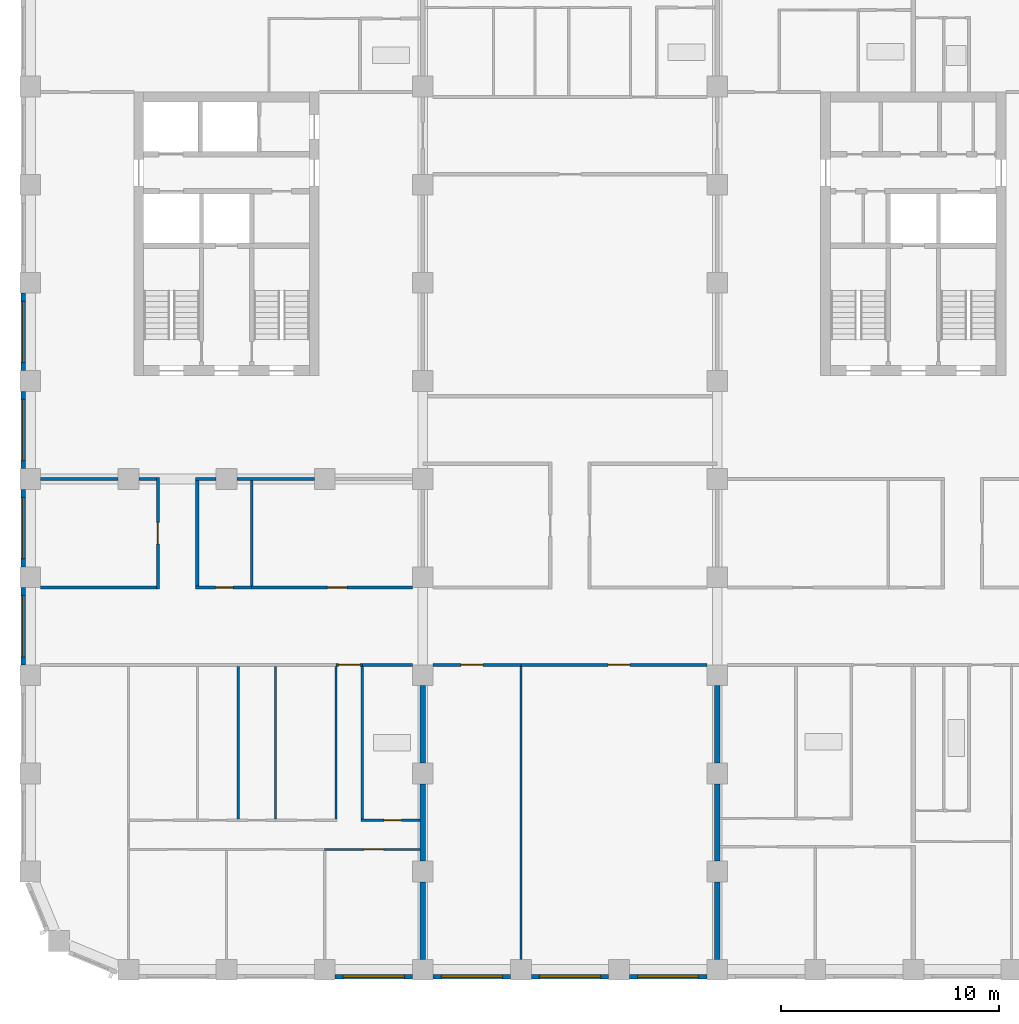
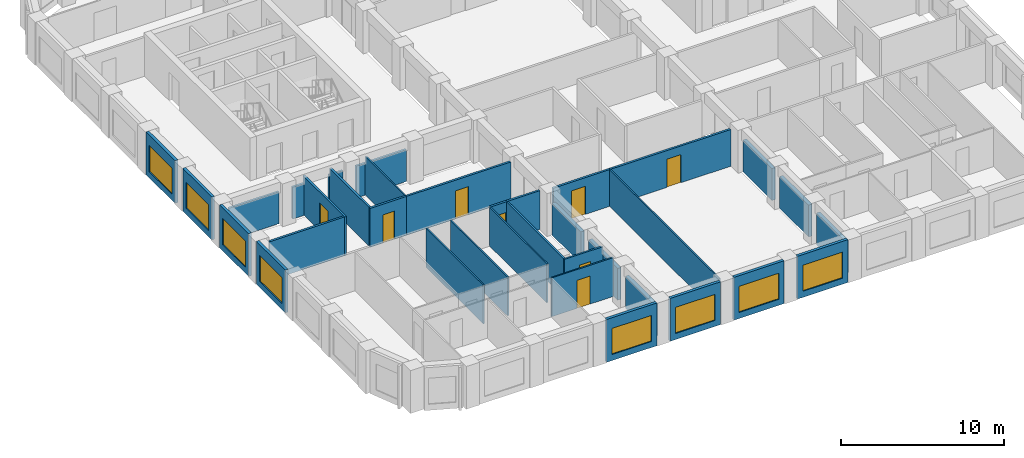
# One storey, part 3 of 13: 35 walls, 8 doors, 8 windows, 16 openings.
"""IFC4 building model written with IfcOpenShell, lengths in metres."""

from ifc_helpers import new_model, si_unit, direction, frame, frame_2d, origin, place, context, subcontext, project, spatial, rectangle, extrude, material, layer, layer_set, type_object, element, fill, save


model = new_model("IFC4")

# Units and contexts
model_context = context("Model", 3, precision=1e-05, world=origin(), true_north=direction((0.0, 1.0)))
body_context = subcontext(model_context, "Body", "Model", "MODEL_VIEW")
ifc_project = project(units=[si_unit("LENGTHUNIT", "METRE"), si_unit("AREAUNIT", "SQUARE_METRE"), si_unit("VOLUMEUNIT", "CUBIC_METRE"), si_unit("PLANEANGLEUNIT", "RADIAN"), si_unit("MASSUNIT", "GRAM", prefix="KILO")], contexts=[model_context])

# Site, building, storey
site_placement = place(None, origin())
site = spatial("IfcSite", under=ifc_project, at=site_placement, CompositionType="ELEMENT")
building_placement = place(site_placement, origin())
building = spatial("IfcBuilding", under=site, at=building_placement, Name="Girih Gate Residences", CompositionType="ELEMENT")
storey_placement = place(building_placement, frame((0.0, 0.0, 136.60009765625)))
storey = spatial("IfcBuildingStorey", under=building, at=storey_placement, Name="L38", CompositionType="ELEMENT", Elevation=136.60009765625)

# Walls
ifc_material_1 = material(Name="Gypsum board on steel studs", Category="steel")
ifc_layer_1 = layer(ifc_material_1, 0.25)
ifc_layer_set_1 = layer_set([ifc_layer_1], Name="Acoustic separating wall 250 mm")
wall_type_1 = type_object("IfcWallType", Name="Acoustic separating wall 250 mm", PredefinedType="PARTITIONING", material=ifc_layer_set_1)
for number, where, z_axis, x_axis, name in (
    (1, (18.0, 9.47509765625, 0.0), (0.0, 0.0, 1.0), (0.0, 1.0, 0.0), "L38 partition"),
    (2, (18.0, 4.97509765625, 0.0), (0.0, 0.0, 1.0), (0.0, 1.0, 0.0), "L38 partition"),
    (3, (18.0, 0.47509765625, 0.0), (0.0, 0.0, 1.0), (0.0, 1.0, 0.0), "L38 partition"),
    (4, (31.5, 9.47509765625, 0.0), (0.0, 0.0, 1.0), (0.0, 1.0, 0.0), "L38 partition"),
    (5, (31.5, 0.47509765625, 0.0), (0.0, 0.0, 1.0), (0.0, 1.0, 0.0), "L38 partition"),
    (6, (31.5, 4.97509765625, 0.0), (0.0, 0.0, 1.0), (0.0, 1.0, 0.0), "L38 partition"),
):
    element("IfcWall", number, at=place(storey_placement, frame(where, z_axis=z_axis, x_axis=x_axis)), inside=storey, type_object=wall_type_1, Name=name, PredefinedType="PARTITIONING", context=body_context, shape_type="SweptSolid", body=[
        extrude(rectangle(XDim=3.5498046875, YDim=0.25, at=frame_2d((1.77490234375, 0.0))), origin(), (0.0, 0.0, 1.0), 2.3798828125),
    ])
ifc_layer_2 = layer(ifc_material_1, 0.14990234375)
ifc_layer_set_2 = layer_set([ifc_layer_2], Name="Compartment wall 150 mm")
wall_type_2 = type_object("IfcWallType", Name="Compartment wall 150 mm", PredefinedType="PARTITIONING", material=ifc_layer_set_2)
wall_1_placement = place(storey_placement, frame((15.22509765625, 13.97509765625, 0.0), z_axis=(0.0, 0.0, 1.0), x_axis=(1.0, 0.0, 0.0)))
element("IfcWall", 7, at=wall_1_placement, inside=storey, type_object=wall_type_2, Name="L38 partition", PredefinedType="PARTITIONING", context=body_context, shape_type="SweptSolid", body=[
    extrude(rectangle(XDim=2.2998046875, YDim=0.14990234375, at=frame_2d((1.14990234375, 0.0))), origin(), (0.0, 0.0, 1.0), 2.89990234375),
])

# Wall, opening, door
wall_2_placement = place(storey_placement, frame((15.22509765625, 13.97509765625, 0.0), z_axis=(0.0, 0.0, 1.0), x_axis=(-1.0, 0.0, 0.0)))
wall_2 = element("IfcWall", 8, at=wall_2_placement, inside=storey, type_object=wall_type_2, Name="L38 partition", PredefinedType="PARTITIONING", context=body_context, shape_type="SweptSolid", body=[
    extrude(rectangle(XDim=1.2001953125, YDim=0.14990234375, at=frame_2d((0.60009765625, 0.0))), origin(), (0.0, 0.0, 1.0), 2.89990234375),
])
opening_1_placement = place(wall_2_placement, frame((0.10009765625, 0.0, 0.0)))
opening_1 = element("IfcOpeningElement", 9, at=opening_1_placement, cuts=wall_2, Name="Opening A38-010", PredefinedType="OPENING", context=body_context, shape_type="SweptSolid", body=[
    extrude(rectangle(XDim=1.0, YDim=2.10009765625, at=frame_2d((0.5, 1.050048828125))), frame((0.0, 0.0849609375, 0.0), z_axis=(0.0, -1.0, 0.0), x_axis=(1.0, 0.0, 0.0)), (0.0, 0.0, 1.0), 0.169921875),
])
ifc_material_2 = material(Name="Timber, fire-rated core", Category="wood")
door_type_1 = type_object("IfcDoorType", Name="Flat entrance door 1000x2100 FD30S", OperationType="NOTDEFINED", PredefinedType="DOOR", material=ifc_material_2)
door_1_placement = place(opening_1_placement, origin())
door_1 = element("IfcDoor", 10, at=door_1_placement, inside=storey, type_object=door_type_1, Name="Door A38-010", OperationType="SINGLE_SWING_RIGHT", OverallHeight=2.10009765625, OverallWidth=1.0, PredefinedType="DOOR", context=body_context, shape_type="SweptSolid", body=[
    extrude(rectangle(XDim=1.0, YDim=2.10009765625, at=frame_2d((0.5, 1.050048828125))), frame((0.0, 0.02490234375, 0.0), z_axis=(0.0, -1.0, 0.0), x_axis=(1.0, 0.0, 0.0)), (0.0, 0.0, 1.0), 0.050048828125),
])
fill(opening_1, door_1)

wall_3_placement = place(storey_placement, frame((22.5, 13.97509765625, 0.0), z_axis=(0.0, 0.0, 1.0), x_axis=(-1.0, 0.0, 0.0)))
wall_3 = element("IfcWall", 11, at=wall_3_placement, inside=storey, type_object=wall_type_2, Name="L38 partition", PredefinedType="PARTITIONING", context=body_context, shape_type="SweptSolid", body=[
    extrude(rectangle(XDim=4.02490234375, YDim=0.14990234375, at=frame_2d((2.012451171875, 0.0))), origin(), (0.0, 0.0, 1.0), 2.75),
])
opening_2_placement = place(wall_3_placement, frame((1.75, 0.0, 0.0)))
opening_2 = element("IfcOpeningElement", 12, at=opening_2_placement, cuts=wall_3, Name="Opening A38-049", PredefinedType="OPENING", context=body_context, shape_type="SweptSolid", body=[
    extrude(rectangle(XDim=1.0, YDim=2.10009765625, at=frame_2d((0.5, 1.050048828125))), frame((0.0, 0.0849609375, 0.0), z_axis=(0.0, -1.0, 0.0), x_axis=(1.0, 0.0, 0.0)), (0.0, 0.0, 1.0), 0.169921875),
])
door_type_2 = type_object("IfcDoorType", Name="Amenity room door 1000x2100 FD30S", OperationType="NOTDEFINED", PredefinedType="DOOR", material=ifc_material_2)
door_2_placement = place(opening_2_placement, origin())
door_2 = element("IfcDoor", 13, at=door_2_placement, inside=storey, type_object=door_type_2, Name="Door A38-049", OperationType="SINGLE_SWING_RIGHT", OverallHeight=2.10009765625, OverallWidth=1.0, PredefinedType="DOOR", context=body_context, shape_type="SweptSolid", body=[
    extrude(rectangle(XDim=1.0, YDim=2.10009765625, at=frame_2d((0.5, 1.050048828125))), frame((0.0, 0.02490234375, 0.0), z_axis=(0.0, -1.0, 0.0), x_axis=(1.0, 0.0, 0.0)), (0.0, 0.0, 1.0), 0.050048828125),
])
fill(opening_2, door_2)

wall_4_placement = place(storey_placement, frame((31.02490234375, 13.97509765625, 0.0), z_axis=(0.0, 0.0, 1.0), x_axis=(-1.0, 0.0, 0.0)))
wall_4 = element("IfcWall", 14, at=wall_4_placement, inside=storey, type_object=wall_type_2, Name="L38 partition", PredefinedType="PARTITIONING", context=body_context, shape_type="SweptSolid", body=[
    extrude(rectangle(XDim=8.52490234375, YDim=0.14990234375, at=frame_2d((4.262451171875, 0.0))), origin(), (0.0, 0.0, 1.0), 2.75),
])
opening_3_placement = place(wall_4_placement, frame((3.52490234375, 0.0, 0.0)))
opening_3 = element("IfcOpeningElement", 15, at=opening_3_placement, cuts=wall_4, Name="Opening A38-050", PredefinedType="OPENING", context=body_context, shape_type="SweptSolid", body=[
    extrude(rectangle(XDim=1.0, YDim=2.10009765625, at=frame_2d((0.5, 1.050048828125))), frame((0.0, 0.0849609375, 0.0), z_axis=(0.0, -1.0, 0.0), x_axis=(1.0, 0.0, 0.0)), (0.0, 0.0, 1.0), 0.169921875),
])
door_3_placement = place(opening_3_placement, origin())
door_3 = element("IfcDoor", 16, at=door_3_placement, inside=storey, type_object=door_type_2, Name="Door A38-050", OperationType="SINGLE_SWING_LEFT", OverallHeight=2.10009765625, OverallWidth=1.0, PredefinedType="DOOR", context=body_context, shape_type="SweptSolid", body=[
    extrude(rectangle(XDim=1.0, YDim=2.10009765625, at=frame_2d((0.5, 1.050048828125))), frame((0.0, 0.02490234375, 0.0), z_axis=(0.0, -1.0, 0.0), x_axis=(1.0, 0.0, 0.0)), (0.0, 0.0, 1.0), 0.050048828125),
])
fill(opening_3, door_3)

wall_5_placement = place(storey_placement, frame((10.14990234375, 17.52490234375, 0.0), z_axis=(0.0, 0.0, 1.0), x_axis=(1.0, 0.0, 0.0)))
wall_5 = element("IfcWall", 17, at=wall_5_placement, inside=storey, type_object=wall_type_2, Name="L38 partition", PredefinedType="PARTITIONING", context=body_context, shape_type="SweptSolid", body=[
    extrude(rectangle(XDim=7.375, YDim=0.14990234375, at=frame_2d((3.6875, 0.0))), origin(), (0.0, 0.0, 1.0), 2.89990234375),
])
opening_4_placement = place(wall_5_placement, frame((3.47509765625, 0.0, 0.0)))
opening_4 = element("IfcOpeningElement", 18, at=opening_4_placement, cuts=wall_5, Name="Opening A38-054", PredefinedType="OPENING", context=body_context, shape_type="SweptSolid", body=[
    extrude(rectangle(XDim=0.89990234375, YDim=2.10009765625, at=frame_2d((0.449951171875, 1.050048828125))), frame((0.0, 0.0849609375, 0.0), z_axis=(0.0, -1.0, 0.0), x_axis=(1.0, 0.0, 0.0)), (0.0, 0.0, 1.0), 0.169921875),
])
ifc_material_3 = material(Name="Timber", Category="wood")
door_type_3 = type_object("IfcDoorType", Name="Service room door 900x2100", OperationType="NOTDEFINED", PredefinedType="DOOR", material=ifc_material_3)
door_4_placement = place(opening_4_placement, origin())
door_4 = element("IfcDoor", 19, at=door_4_placement, inside=storey, type_object=door_type_3, Name="Door A38-054", OperationType="SINGLE_SWING_RIGHT", OverallHeight=2.10009765625, OverallWidth=0.89990234375, PredefinedType="DOOR", context=body_context, shape_type="SweptSolid", body=[
    extrude(rectangle(XDim=0.89990234375, YDim=2.10009765625, at=frame_2d((0.449951171875, 1.050048828125))), frame((0.0, 0.02490234375, 0.0), z_axis=(0.0, -1.0, 0.0), x_axis=(1.0, 0.0, 0.0)), (0.0, 0.0, 1.0), 0.050048828125),
])
fill(opening_4, door_4)

wall_6_placement = place(storey_placement, frame((7.574951171875, 17.52490234375, 0.0), z_axis=(0.0, 0.0, 1.0), x_axis=(1.0, 0.0, 0.0)))
wall_6 = element("IfcWall", 20, at=wall_6_placement, inside=storey, type_object=wall_type_2, Name="L38 partition", PredefinedType="PARTITIONING", context=body_context, shape_type="SweptSolid", body=[
    extrude(rectangle(XDim=2.574951171875, YDim=0.14990234375, at=frame_2d((1.28759765625, 0.0))), origin(), (0.0, 0.0, 1.0), 2.89990234375),
])
opening_5_placement = place(wall_6_placement, frame((0.925048828125, 0.0, 0.0)))
opening_5 = element("IfcOpeningElement", 21, at=opening_5_placement, cuts=wall_6, Name="Opening A38-056", PredefinedType="OPENING", context=body_context, shape_type="SweptSolid", body=[
    extrude(rectangle(XDim=0.800048828125, YDim=2.10009765625, at=frame_2d((0.39990234375, 1.050048828125))), frame((0.0, 0.0849609375, 0.0), z_axis=(0.0, -1.0, 0.0), x_axis=(1.0, 0.0, 0.0)), (0.0, 0.0, 1.0), 0.169921875),
])
door_type_4 = type_object("IfcDoorType", Name="Bathroom door 800x2100", OperationType="NOTDEFINED", PredefinedType="DOOR", material=ifc_material_3)
door_5_placement = place(opening_5_placement, origin())
door_5 = element("IfcDoor", 22, at=door_5_placement, inside=storey, type_object=door_type_4, Name="Door A38-056", OperationType="SINGLE_SWING_RIGHT", OverallHeight=2.10009765625, OverallWidth=0.800048828125, PredefinedType="DOOR", context=body_context, shape_type="SweptSolid", body=[
    extrude(rectangle(XDim=0.800048828125, YDim=2.10009765625, at=frame_2d((0.39990234375, 1.050048828125))), frame((0.0, 0.02490234375, 0.0), z_axis=(0.0, -1.0, 0.0), x_axis=(1.0, 0.0, 0.0)), (0.0, 0.0, 1.0), 0.050048828125),
])
fill(opening_5, door_5)

# Walls
wall_7_placement = place(storey_placement, frame((0.47509765625, 17.52490234375, 0.0), z_axis=(0.0, 0.0, 1.0), x_axis=(1.0, 0.0, 0.0)))
element("IfcWall", 23, at=wall_7_placement, inside=storey, type_object=wall_type_2, Name="L38 partition", PredefinedType="PARTITIONING", context=body_context, shape_type="SweptSolid", body=[
    extrude(rectangle(XDim=5.2998046875, YDim=0.14990234375, at=frame_2d((2.64990234375, 0.0))), origin(), (0.0, 0.0, 1.0), 2.89990234375),
])
wall_8_placement = place(storey_placement, frame((9.47509765625, 22.5, 0.0), z_axis=(0.0, 0.0, 1.0), x_axis=(1.0, 0.0, 0.0)))
element("IfcWall", 24, at=wall_8_placement, inside=storey, type_object=wall_type_2, Name="L38 partition", PredefinedType="PARTITIONING", context=body_context, shape_type="SweptSolid", body=[
    extrude(rectangle(XDim=3.5498046875, YDim=0.14990234375, at=frame_2d((1.77490234375, 0.0))), origin(), (0.0, 0.0, 1.0), 2.3798828125),
])
wall_9_placement = place(storey_placement, frame((7.574951171875, 22.5, 0.0), z_axis=(0.0, 0.0, 1.0), x_axis=(1.0, 0.0, 0.0)))
element("IfcWall", 25, at=wall_9_placement, inside=storey, type_object=wall_type_2, Name="L38 partition", PredefinedType="PARTITIONING", context=body_context, shape_type="SweptSolid", body=[
    extrude(rectangle(XDim=0.949951171875, YDim=0.14990234375, at=frame_2d((0.47509765625, 0.0))), origin(), (0.0, 0.0, 1.0), 2.3798828125),
])
wall_10_placement = place(storey_placement, frame((4.97509765625, 22.5, 0.0), z_axis=(0.0, 0.0, 1.0), x_axis=(1.0, 0.0, 0.0)))
element("IfcWall", 26, at=wall_10_placement, inside=storey, type_object=wall_type_2, Name="L38 partition", PredefinedType="PARTITIONING", context=body_context, shape_type="SweptSolid", body=[
    extrude(rectangle(XDim=0.7998046875, YDim=0.14990234375, at=frame_2d((0.39990234375, 0.0))), origin(), (0.0, 0.0, 1.0), 2.3798828125),
])
wall_11_placement = place(storey_placement, frame((0.47509765625, 22.5, 0.0), z_axis=(0.0, 0.0, 1.0), x_axis=(1.0, 0.0, 0.0)))
element("IfcWall", 27, at=wall_11_placement, inside=storey, type_object=wall_type_2, Name="L38 partition", PredefinedType="PARTITIONING", context=body_context, shape_type="SweptSolid", body=[
    extrude(rectangle(XDim=3.5498046875, YDim=0.14990234375, at=frame_2d((1.77490234375, 0.0))), origin(), (0.0, 0.0, 1.0), 2.3798828125),
])
wall_12_placement = place(storey_placement, frame((7.64990234375, 17.60009765625, 0.0), z_axis=(0.0, 0.0, 1.0), x_axis=(0.0, 1.0, 0.0)))
element("IfcWall", 28, at=wall_12_placement, inside=storey, type_object=wall_type_2, Name="L38 partition", PredefinedType="PARTITIONING", context=body_context, shape_type="SweptSolid", body=[
    extrude(rectangle(XDim=4.824951171875, YDim=0.14990234375, at=frame_2d((2.41259765625, 0.0))), origin(), (0.0, 0.0, 1.0), 2.89990234375),
])

# Wall, opening, door
wall_13_placement = place(storey_placement, frame((5.85009765625, 17.449951171875, 0.0), z_axis=(0.0, 0.0, 1.0), x_axis=(0.0, 1.0, 0.0)))
wall_13 = element("IfcWall", 29, at=wall_13_placement, inside=storey, type_object=wall_type_2, Name="L38 partition", PredefinedType="PARTITIONING", context=body_context, shape_type="SweptSolid", body=[
    extrude(rectangle(XDim=5.125, YDim=0.14990234375, at=frame_2d((2.5625, 0.0))), origin(), (0.0, 0.0, 1.0), 2.89990234375),
])
opening_6_placement = place(wall_13_placement, frame((2.0625, 0.0, 0.0)))
opening_6 = element("IfcOpeningElement", 30, at=opening_6_placement, cuts=wall_13, Name="Opening A38-058", PredefinedType="OPENING", context=body_context, shape_type="SweptSolid", body=[
    extrude(rectangle(XDim=1.0, YDim=2.10009765625, at=frame_2d((0.5, 1.050048828125))), frame((0.0, 0.0849609375, 0.0), z_axis=(0.0, -1.0, 0.0), x_axis=(1.0, 0.0, 0.0)), (0.0, 0.0, 1.0), 0.169921875),
])
door_6_placement = place(opening_6_placement, origin())
door_6 = element("IfcDoor", 31, at=door_6_placement, inside=storey, type_object=door_type_2, Name="Door A38-058", OperationType="SINGLE_SWING_RIGHT", OverallHeight=2.10009765625, OverallWidth=1.0, PredefinedType="DOOR", context=body_context, shape_type="SweptSolid", body=[
    extrude(rectangle(XDim=1.0, YDim=2.10009765625, at=frame_2d((0.5, 1.050048828125))), frame((0.0, 0.02490234375, 0.0), z_axis=(0.0, -1.0, 0.0), x_axis=(1.0, 0.0, 0.0)), (0.0, 0.0, 1.0), 0.050048828125),
])
fill(opening_6, door_6)

ifc_layer_3 = layer(ifc_material_1, 0.10009765625)
ifc_layer_set_3 = layer_set([ifc_layer_3], Name="Partition 100 mm")
wall_type_3 = type_object("IfcWallType", Name="Partition 100 mm", PredefinedType="PARTITIONING", material=ifc_layer_set_3)
wall_14_placement = place(storey_placement, frame((17.875, 5.514892578125, 0.0), z_axis=(0.0, 0.0, 1.0), x_axis=(-1.0, 0.0, 0.0)))
wall_14 = element("IfcWall", 32, at=wall_14_placement, inside=storey, type_object=wall_type_3, Name="L38 partition", PredefinedType="PARTITIONING", context=body_context, shape_type="SweptSolid", body=[
    extrude(rectangle(XDim=4.375, YDim=0.10009765625, at=frame_2d((2.1875, 0.0))), origin(), (0.0, 0.0, 1.0), 2.89990234375),
])
opening_7_placement = place(wall_14_placement, frame((1.675048828125, 0.0, 0.0)))
opening_7 = element("IfcOpeningElement", 33, at=opening_7_placement, cuts=wall_14, Name="Opening A38-004", PredefinedType="OPENING", context=body_context, shape_type="SweptSolid", body=[
    extrude(rectangle(XDim=0.89990234375, YDim=2.10009765625, at=frame_2d((0.449951171875, 1.050048828125))), frame((0.0, 0.06005859375, 0.0), z_axis=(0.0, -1.0, 0.0), x_axis=(1.0, 0.0, 0.0)), (0.0, 0.0, 1.0), 0.1201171875),
])
door_type_5 = type_object("IfcDoorType", Name="Bedroom door 900x2100", OperationType="NOTDEFINED", PredefinedType="DOOR", material=ifc_material_3)
door_7_placement = place(opening_7_placement, origin())
door_7 = element("IfcDoor", 34, at=door_7_placement, inside=storey, type_object=door_type_5, Name="Door A38-004", OperationType="SINGLE_SWING_LEFT", OverallHeight=2.10009765625, OverallWidth=0.89990234375, PredefinedType="DOOR", context=body_context, shape_type="SweptSolid", body=[
    extrude(rectangle(XDim=0.89990234375, YDim=2.10009765625, at=frame_2d((0.449951171875, 1.050048828125))), frame((0.0, 0.02490234375, 0.0), z_axis=(0.0, -1.0, 0.0), x_axis=(1.0, 0.0, 0.0)), (0.0, 0.0, 1.0), 0.050048828125),
])
fill(opening_7, door_7)

# Walls
for number, where, z_axis, x_axis, name in (
    (35, (14.02490234375, 6.905029296875, 0.0), (0.0, 0.0, 1.0), (0.0, 1.0, 0.0), "L38 partition"),
    (36, (11.24609375, 6.905029296875, 0.0), (0.0, 0.0, 1.0), (0.0, 1.0, 0.0), "L38 partition"),
    (37, (9.531982421875, 6.905029296875, 0.0), (0.0, 0.0, 1.0), (0.0, 1.0, 0.0), "L38 partition"),
):
    element("IfcWall", number, at=place(storey_placement, frame(where, z_axis=z_axis, x_axis=x_axis)), inside=storey, type_object=wall_type_3, Name=name, PredefinedType="PARTITIONING", context=body_context, shape_type="SweptSolid", body=[
        extrude(rectangle(XDim=6.994873046875, YDim=0.10009765625, at=frame_2d((3.49755859375, 0.0))), origin(), (0.0, 0.0, 1.0), 2.89990234375),
    ])
wall_15_placement = place(storey_placement, frame((22.5, 0.47509765625, 0.0), z_axis=(0.0, 0.0, 1.0), x_axis=(0.0, 1.0, 0.0)))
element("IfcWall", 38, at=wall_15_placement, inside=storey, type_object=wall_type_3, Name="L38 partition", PredefinedType="PARTITIONING", context=body_context, shape_type="SweptSolid", body=[
    extrude(rectangle(XDim=13.4248046875, YDim=0.10009765625, at=frame_2d((6.71240234375, 0.0))), origin(), (0.0, 0.0, 1.0), 2.75),
])
wall_16_placement = place(storey_placement, frame((10.14990234375, 17.60009765625, 0.0), z_axis=(0.0, 0.0, 1.0), x_axis=(0.0, 1.0, 0.0)))
element("IfcWall", 39, at=wall_16_placement, inside=storey, type_object=wall_type_3, Name="L38 partition", PredefinedType="PARTITIONING", context=body_context, shape_type="SweptSolid", body=[
    extrude(rectangle(XDim=4.824951171875, YDim=0.10009765625, at=frame_2d((2.41259765625, 0.0))), origin(), (0.0, 0.0, 1.0), 2.89990234375),
])

# Wall, opening, window
ifc_material_4 = material(Name="Precast concrete C50/60", Category="concrete")
ifc_layer_4 = layer(ifc_material_4, 0.06005859375, Name="Outer leaf")
ifc_material_5 = material(Name="Rigid PIR insulation")
ifc_layer_5 = layer(ifc_material_5, 0.090087890625, Name="Insulation")
ifc_material_6 = material(Name="Precast concrete C40/50", Category="concrete")
ifc_layer_6 = layer(ifc_material_6, 0.050048828125, Name="Inner leaf")
ifc_layer_set_4 = layer_set([ifc_layer_4, ifc_layer_5, ifc_layer_6], Name="Precast concrete C50/60 external wall 200")
wall_type_4 = type_object("IfcWallType", Name="Precast concrete C50/60 external wall 200", PredefinedType="SOLIDWALL", material=ifc_layer_set_4)
wall_17_placement = place(storey_placement, frame((17.52490234375, -0.324951171875, 0.0), z_axis=(0.0, 0.0, 1.0), x_axis=(-1.0, 0.0, 0.0)))
wall_17 = element("IfcWall", 40, at=wall_17_placement, inside=storey, type_object=wall_type_4, Name="External wall S0045_0000.2", PredefinedType="SOLIDWALL", context=body_context, shape_type="SweptSolid", body=[
    extrude(rectangle(XDim=3.5498046875, YDim=0.199951171875, at=frame_2d((1.77490234375, 0.0))), origin(), (0.0, 0.0, 1.0), 3.199951171875),
])
opening_8_placement = place(wall_17_placement, frame((0.375, 0.0, 0.449951171875)))
opening_8 = element("IfcOpeningElement", 41, at=opening_8_placement, cuts=wall_17, Name="Opening W-1B", PredefinedType="OPENING", context=body_context, shape_type="SweptSolid", body=[
    extrude(rectangle(XDim=2.800048828125, YDim=1.949951171875, at=frame_2d((1.39990234375, 0.97509765625))), frame((0.0, 0.10986328125, 0.0), z_axis=(0.0, -1.0, 0.0), x_axis=(1.0, 0.0, 0.0)), (0.0, 0.0, 1.0), 0.219970703125),
])
ifc_material_7 = material(Name="Double glazing in aluminium frame", Category="aluminium")
window_type = type_object("IfcWindowType", Name="Window W-1B 2800x1950", PartitioningType="SINGLE_PANEL", PredefinedType="WINDOW", material=ifc_material_7)
window_1_placement = place(opening_8_placement, origin())
window_1 = element("IfcWindow", 42, at=window_1_placement, inside=storey, type_object=window_type, Name="Window W-1B S0045_0000.2", OverallHeight=1.949951171875, OverallWidth=2.800048828125, PartitioningType="SINGLE_PANEL", PredefinedType="WINDOW", context=body_context, shape_type="SweptSolid", body=[
    extrude(rectangle(XDim=2.800048828125, YDim=1.949951171875, at=frame_2d((1.39990234375, 0.97509765625))), frame((0.0, 0.030029296875, 0.0), z_axis=(0.0, -1.0, 0.0), x_axis=(1.0, 0.0, 0.0)), (0.0, 0.0, 1.0), 0.06005859375),
])
fill(opening_8, window_1)

wall_18_placement = place(storey_placement, frame((22.02490234375, -0.324951171875, 0.0), z_axis=(0.0, 0.0, 1.0), x_axis=(-1.0, 0.0, 0.0)))
wall_18 = element("IfcWall", 43, at=wall_18_placement, inside=storey, type_object=wall_type_4, Name="External wall S0045_0000.3", PredefinedType="SOLIDWALL", context=body_context, shape_type="SweptSolid", body=[
    extrude(rectangle(XDim=3.5498046875, YDim=0.199951171875, at=frame_2d((1.77490234375, 0.0))), origin(), (0.0, 0.0, 1.0), 3.199951171875),
])
opening_9_placement = place(wall_18_placement, frame((0.375, 0.0, 0.449951171875)))
opening_9 = element("IfcOpeningElement", 44, at=opening_9_placement, cuts=wall_18, Name="Opening W-1B", PredefinedType="OPENING", context=body_context, shape_type="SweptSolid", body=[
    extrude(rectangle(XDim=2.800048828125, YDim=1.949951171875, at=frame_2d((1.39990234375, 0.97509765625))), frame((0.0, 0.10986328125, 0.0), z_axis=(0.0, -1.0, 0.0), x_axis=(1.0, 0.0, 0.0)), (0.0, 0.0, 1.0), 0.219970703125),
])
window_2_placement = place(opening_9_placement, origin())
window_2 = element("IfcWindow", 45, at=window_2_placement, inside=storey, type_object=window_type, Name="Window W-1B S0045_0000.3", OverallHeight=1.949951171875, OverallWidth=2.800048828125, PartitioningType="SINGLE_PANEL", PredefinedType="WINDOW", context=body_context, shape_type="SweptSolid", body=[
    extrude(rectangle(XDim=2.800048828125, YDim=1.949951171875, at=frame_2d((1.39990234375, 0.97509765625))), frame((0.0, 0.030029296875, 0.0), z_axis=(0.0, -1.0, 0.0), x_axis=(1.0, 0.0, 0.0)), (0.0, 0.0, 1.0), 0.06005859375),
])
fill(opening_9, window_2)

wall_19_placement = place(storey_placement, frame((26.52490234375, -0.324951171875, 0.0), z_axis=(0.0, 0.0, 1.0), x_axis=(-1.0, 0.0, 0.0)))
wall_19 = element("IfcWall", 46, at=wall_19_placement, inside=storey, type_object=wall_type_4, Name="External wall S0045_0000.4", PredefinedType="SOLIDWALL", context=body_context, shape_type="SweptSolid", body=[
    extrude(rectangle(XDim=3.5498046875, YDim=0.199951171875, at=frame_2d((1.77490234375, 0.0))), origin(), (0.0, 0.0, 1.0), 3.199951171875),
])
opening_10_placement = place(wall_19_placement, frame((0.375, 0.0, 0.449951171875)))
opening_10 = element("IfcOpeningElement", 47, at=opening_10_placement, cuts=wall_19, Name="Opening W-1B", PredefinedType="OPENING", context=body_context, shape_type="SweptSolid", body=[
    extrude(rectangle(XDim=2.800048828125, YDim=1.949951171875, at=frame_2d((1.39990234375, 0.97509765625))), frame((0.0, 0.10986328125, 0.0), z_axis=(0.0, -1.0, 0.0), x_axis=(1.0, 0.0, 0.0)), (0.0, 0.0, 1.0), 0.219970703125),
])
window_3_placement = place(opening_10_placement, origin())
window_3 = element("IfcWindow", 48, at=window_3_placement, inside=storey, type_object=window_type, Name="Window W-1B S0045_0000.4", OverallHeight=1.949951171875, OverallWidth=2.800048828125, PartitioningType="SINGLE_PANEL", PredefinedType="WINDOW", context=body_context, shape_type="SweptSolid", body=[
    extrude(rectangle(XDim=2.800048828125, YDim=1.949951171875, at=frame_2d((1.39990234375, 0.97509765625))), frame((0.0, 0.030029296875, 0.0), z_axis=(0.0, -1.0, 0.0), x_axis=(1.0, 0.0, 0.0)), (0.0, 0.0, 1.0), 0.06005859375),
])
fill(opening_10, window_3)

wall_20_placement = place(storey_placement, frame((31.02490234375, -0.324951171875, 0.0), z_axis=(0.0, 0.0, 1.0), x_axis=(-1.0, 0.0, 0.0)))
wall_20 = element("IfcWall", 49, at=wall_20_placement, inside=storey, type_object=wall_type_4, Name="External wall S0045_0000.5", PredefinedType="SOLIDWALL", context=body_context, shape_type="SweptSolid", body=[
    extrude(rectangle(XDim=3.5498046875, YDim=0.199951171875, at=frame_2d((1.77490234375, 0.0))), origin(), (0.0, 0.0, 1.0), 3.199951171875),
])
opening_11_placement = place(wall_20_placement, frame((0.375, 0.0, 0.449951171875)))
opening_11 = element("IfcOpeningElement", 50, at=opening_11_placement, cuts=wall_20, Name="Opening W-1B", PredefinedType="OPENING", context=body_context, shape_type="SweptSolid", body=[
    extrude(rectangle(XDim=2.800048828125, YDim=1.949951171875, at=frame_2d((1.39990234375, 0.97509765625))), frame((0.0, 0.10986328125, 0.0), z_axis=(0.0, -1.0, 0.0), x_axis=(1.0, 0.0, 0.0)), (0.0, 0.0, 1.0), 0.219970703125),
])
window_4_placement = place(opening_11_placement, origin())
window_4 = element("IfcWindow", 51, at=window_4_placement, inside=storey, type_object=window_type, Name="Window W-1B S0045_0000.5", OverallHeight=1.949951171875, OverallWidth=2.800048828125, PartitioningType="SINGLE_PANEL", PredefinedType="WINDOW", context=body_context, shape_type="SweptSolid", body=[
    extrude(rectangle(XDim=2.800048828125, YDim=1.949951171875, at=frame_2d((1.39990234375, 0.97509765625))), frame((0.0, 0.030029296875, 0.0), z_axis=(0.0, -1.0, 0.0), x_axis=(1.0, 0.0, 0.0)), (0.0, 0.0, 1.0), 0.06005859375),
])
fill(opening_11, window_4)

wall_21_placement = place(storey_placement, frame((-0.324951171875, 27.47509765625, 0.0), z_axis=(0.0, 0.0, 1.0), x_axis=(0.0, 1.0, 0.0)))
wall_21 = element("IfcWall", 52, at=wall_21_placement, inside=storey, type_object=wall_type_4, Name="External wall W0000_0450.3", PredefinedType="SOLIDWALL", context=body_context, shape_type="SweptSolid", body=[
    extrude(rectangle(XDim=3.5498046875, YDim=0.199951171875, at=frame_2d((1.77490234375, 0.0))), origin(), (0.0, 0.0, 1.0), 3.199951171875),
])
opening_12_placement = place(wall_21_placement, frame((0.375, 0.0, 0.449951171875)))
opening_12 = element("IfcOpeningElement", 53, at=opening_12_placement, cuts=wall_21, Name="Opening W-1B", PredefinedType="OPENING", context=body_context, shape_type="SweptSolid", body=[
    extrude(rectangle(XDim=2.800048828125, YDim=1.949951171875, at=frame_2d((1.39990234375, 0.97509765625))), frame((0.0, 0.10986328125, 0.0), z_axis=(0.0, -1.0, 0.0), x_axis=(1.0, 0.0, 0.0)), (0.0, 0.0, 1.0), 0.219970703125),
])
window_5_placement = place(opening_12_placement, origin())
window_5 = element("IfcWindow", 54, at=window_5_placement, inside=storey, type_object=window_type, Name="Window W-1B W0000_0450.3", OverallHeight=1.949951171875, OverallWidth=2.800048828125, PartitioningType="SINGLE_PANEL", PredefinedType="WINDOW", context=body_context, shape_type="SweptSolid", body=[
    extrude(rectangle(XDim=2.800048828125, YDim=1.949951171875, at=frame_2d((1.39990234375, 0.97509765625))), frame((0.0, 0.030029296875, 0.0), z_axis=(0.0, -1.0, 0.0), x_axis=(1.0, 0.0, 0.0)), (0.0, 0.0, 1.0), 0.06005859375),
])
fill(opening_12, window_5)

wall_22_placement = place(storey_placement, frame((-0.324951171875, 22.97509765625, 0.0), z_axis=(0.0, 0.0, 1.0), x_axis=(0.0, 1.0, 0.0)))
wall_22 = element("IfcWall", 55, at=wall_22_placement, inside=storey, type_object=wall_type_4, Name="External wall W0000_0450.4", PredefinedType="SOLIDWALL", context=body_context, shape_type="SweptSolid", body=[
    extrude(rectangle(XDim=3.5498046875, YDim=0.199951171875, at=frame_2d((1.77490234375, 0.0))), origin(), (0.0, 0.0, 1.0), 3.199951171875),
])
opening_13_placement = place(wall_22_placement, frame((0.375, 0.0, 0.449951171875)))
opening_13 = element("IfcOpeningElement", 56, at=opening_13_placement, cuts=wall_22, Name="Opening W-1B", PredefinedType="OPENING", context=body_context, shape_type="SweptSolid", body=[
    extrude(rectangle(XDim=2.800048828125, YDim=1.949951171875, at=frame_2d((1.39990234375, 0.97509765625))), frame((0.0, 0.10986328125, 0.0), z_axis=(0.0, -1.0, 0.0), x_axis=(1.0, 0.0, 0.0)), (0.0, 0.0, 1.0), 0.219970703125),
])
window_6_placement = place(opening_13_placement, origin())
window_6 = element("IfcWindow", 57, at=window_6_placement, inside=storey, type_object=window_type, Name="Window W-1B W0000_0450.4", OverallHeight=1.949951171875, OverallWidth=2.800048828125, PartitioningType="SINGLE_PANEL", PredefinedType="WINDOW", context=body_context, shape_type="SweptSolid", body=[
    extrude(rectangle(XDim=2.800048828125, YDim=1.949951171875, at=frame_2d((1.39990234375, 0.97509765625))), frame((0.0, 0.030029296875, 0.0), z_axis=(0.0, -1.0, 0.0), x_axis=(1.0, 0.0, 0.0)), (0.0, 0.0, 1.0), 0.06005859375),
])
fill(opening_13, window_6)

wall_23_placement = place(storey_placement, frame((-0.324951171875, 18.47509765625, 0.0), z_axis=(0.0, 0.0, 1.0), x_axis=(0.0, 1.0, 0.0)))
wall_23 = element("IfcWall", 58, at=wall_23_placement, inside=storey, type_object=wall_type_4, Name="External wall W0000_0450.5", PredefinedType="SOLIDWALL", context=body_context, shape_type="SweptSolid", body=[
    extrude(rectangle(XDim=3.5498046875, YDim=0.199951171875, at=frame_2d((1.77490234375, 0.0))), origin(), (0.0, 0.0, 1.0), 3.199951171875),
])
opening_14_placement = place(wall_23_placement, frame((0.375, 0.0, 0.449951171875)))
opening_14 = element("IfcOpeningElement", 59, at=opening_14_placement, cuts=wall_23, Name="Opening W-1B", PredefinedType="OPENING", context=body_context, shape_type="SweptSolid", body=[
    extrude(rectangle(XDim=2.800048828125, YDim=1.949951171875, at=frame_2d((1.39990234375, 0.97509765625))), frame((0.0, 0.10986328125, 0.0), z_axis=(0.0, -1.0, 0.0), x_axis=(1.0, 0.0, 0.0)), (0.0, 0.0, 1.0), 0.219970703125),
])
window_7_placement = place(opening_14_placement, origin())
window_7 = element("IfcWindow", 60, at=window_7_placement, inside=storey, type_object=window_type, Name="Window W-1B W0000_0450.5", OverallHeight=1.949951171875, OverallWidth=2.800048828125, PartitioningType="SINGLE_PANEL", PredefinedType="WINDOW", context=body_context, shape_type="SweptSolid", body=[
    extrude(rectangle(XDim=2.800048828125, YDim=1.949951171875, at=frame_2d((1.39990234375, 0.97509765625))), frame((0.0, 0.030029296875, 0.0), z_axis=(0.0, -1.0, 0.0), x_axis=(1.0, 0.0, 0.0)), (0.0, 0.0, 1.0), 0.06005859375),
])
fill(opening_14, window_7)

wall_24_placement = place(storey_placement, frame((-0.324951171875, 13.97509765625, 0.0), z_axis=(0.0, 0.0, 1.0), x_axis=(0.0, 1.0, 0.0)))
wall_24 = element("IfcWall", 61, at=wall_24_placement, inside=storey, type_object=wall_type_4, Name="External wall W0000_0450.6", PredefinedType="SOLIDWALL", context=body_context, shape_type="SweptSolid", body=[
    extrude(rectangle(XDim=3.5498046875, YDim=0.199951171875, at=frame_2d((1.77490234375, 0.0))), origin(), (0.0, 0.0, 1.0), 3.199951171875),
])
opening_15_placement = place(wall_24_placement, frame((0.375, 0.0, 0.449951171875)))
opening_15 = element("IfcOpeningElement", 62, at=opening_15_placement, cuts=wall_24, Name="Opening W-1B", PredefinedType="OPENING", context=body_context, shape_type="SweptSolid", body=[
    extrude(rectangle(XDim=2.800048828125, YDim=1.949951171875, at=frame_2d((1.39990234375, 0.97509765625))), frame((0.0, 0.10986328125, 0.0), z_axis=(0.0, -1.0, 0.0), x_axis=(1.0, 0.0, 0.0)), (0.0, 0.0, 1.0), 0.219970703125),
])
window_8_placement = place(opening_15_placement, origin())
window_8 = element("IfcWindow", 63, at=window_8_placement, inside=storey, type_object=window_type, Name="Window W-1B W0000_0450.6", OverallHeight=1.949951171875, OverallWidth=2.800048828125, PartitioningType="SINGLE_PANEL", PredefinedType="WINDOW", context=body_context, shape_type="SweptSolid", body=[
    extrude(rectangle(XDim=2.800048828125, YDim=1.949951171875, at=frame_2d((1.39990234375, 0.97509765625))), frame((0.0, 0.030029296875, 0.0), z_axis=(0.0, -1.0, 0.0), x_axis=(1.0, 0.0, 0.0)), (0.0, 0.0, 1.0), 0.06005859375),
])
fill(opening_15, window_8)

# Wall, opening, door
ifc_layer_7 = layer(ifc_material_1, 0.125)
ifc_layer_set_5 = layer_set([ifc_layer_7], Name="Wet room wall 125 mm")
wall_type_5 = type_object("IfcWallType", Name="Wet room wall 125 mm", PredefinedType="PARTITIONING", material=ifc_layer_set_5)
wall_25_placement = place(storey_placement, frame((15.16259765625, 6.85498046875, 0.0), z_axis=(0.0, 0.0, 1.0), x_axis=(1.0, 0.0, 0.0)))
wall_25 = element("IfcWall", 64, at=wall_25_placement, inside=storey, type_object=wall_type_5, Name="L38 partition", PredefinedType="PARTITIONING", context=body_context, shape_type="SweptSolid", body=[
    extrude(rectangle(XDim=2.71240234375, YDim=0.125, at=frame_2d((1.356201171875, 0.0))), origin(), (0.0, 0.0, 1.0), 2.89990234375),
])
opening_16_placement = place(wall_25_placement, frame((1.050048828125, 0.0, 0.0)))
opening_16 = element("IfcOpeningElement", 65, at=opening_16_placement, cuts=wall_25, Name="Opening A38-001", PredefinedType="OPENING", context=body_context, shape_type="SweptSolid", body=[
    extrude(rectangle(XDim=0.800048828125, YDim=2.10009765625, at=frame_2d((0.39990234375, 1.050048828125))), frame((0.0, 0.072509765625, 0.0), z_axis=(0.0, -1.0, 0.0), x_axis=(1.0, 0.0, 0.0)), (0.0, 0.0, 1.0), 0.14501953125),
])
door_8_placement = place(opening_16_placement, origin())
door_8 = element("IfcDoor", 66, at=door_8_placement, inside=storey, type_object=door_type_4, Name="Door A38-001", OperationType="SINGLE_SWING_RIGHT", OverallHeight=2.10009765625, OverallWidth=0.800048828125, PredefinedType="DOOR", context=body_context, shape_type="SweptSolid", body=[
    extrude(rectangle(XDim=0.800048828125, YDim=2.10009765625, at=frame_2d((0.39990234375, 1.050048828125))), frame((0.0, 0.02490234375, 0.0), z_axis=(0.0, -1.0, 0.0), x_axis=(1.0, 0.0, 0.0)), (0.0, 0.0, 1.0), 0.050048828125),
])
fill(opening_16, door_8)

# Wall
wall_26_placement = place(storey_placement, frame((15.22509765625, 6.91748046875, 0.0), z_axis=(0.0, 0.0, 1.0), x_axis=(0.0, 1.0, 0.0)))
element("IfcWall", 67, at=wall_26_placement, inside=storey, type_object=wall_type_5, Name="L38 partition", PredefinedType="PARTITIONING", context=body_context, shape_type="SweptSolid", body=[
    extrude(rectangle(XDim=6.982421875, YDim=0.125, at=frame_2d((3.4912109375, 0.0))), origin(), (0.0, 0.0, 1.0), 2.89990234375),
])

save(model, "model.ifc")
